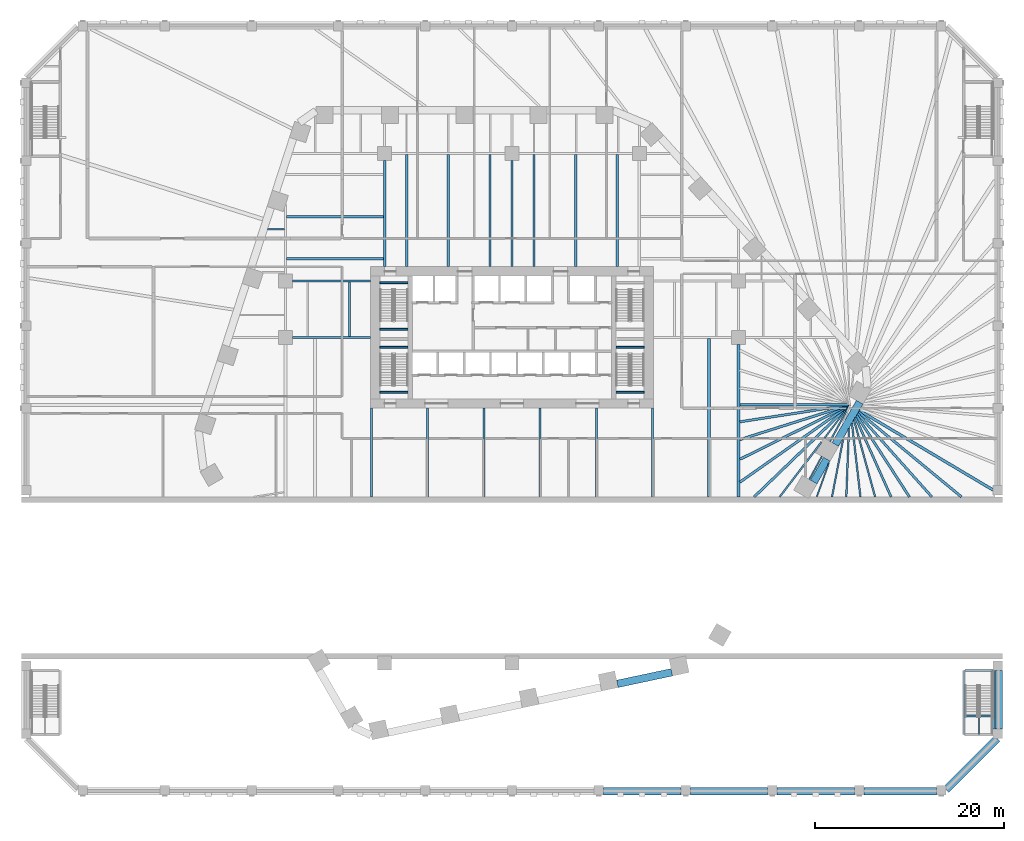
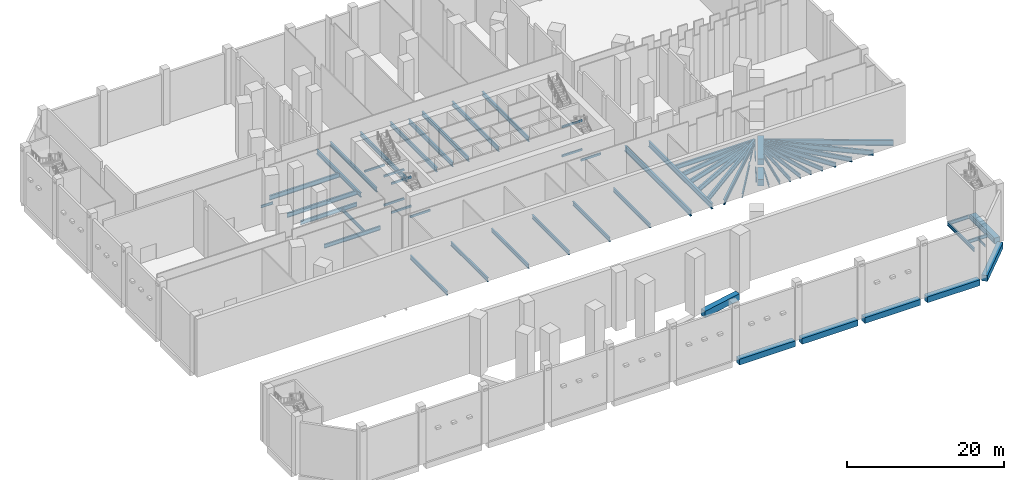
# One storey, part 2 of 23: 65 beams.
"""IFC4 building model written with IfcOpenShell, lengths in metres."""

from ifc_helpers import new_model, si_unit, direction, frame, origin, origin_2d, place, context, subcontext, project, spatial, rectangle, i_section, extrude, material, material_profile, profile_set, type_object, element, save


model = new_model("IFC4")

# Units and contexts
model_context = context("Model", 3, precision=1e-05, world=origin(), true_north=direction((0.0, 1.0)))
body_context = subcontext(model_context, "Body", "Model", "MODEL_VIEW")
ifc_project = project(units=[si_unit("LENGTHUNIT", "METRE"), si_unit("AREAUNIT", "SQUARE_METRE"), si_unit("VOLUMEUNIT", "CUBIC_METRE"), si_unit("PLANEANGLEUNIT", "RADIAN"), si_unit("MASSUNIT", "GRAM", prefix="KILO")], contexts=[model_context])

# Site, building, storey
site_placement = place(None, origin())
site = spatial("IfcSite", under=ifc_project, at=site_placement, CompositionType="ELEMENT")
building_placement = place(site_placement, origin())
building = spatial("IfcBuilding", under=site, at=building_placement, Name="Isthmus Gate Tower", CompositionType="ELEMENT")
storey_placement = place(building_placement, frame((0.0, 0.0, 9.0)))
storey = spatial("IfcBuildingStorey", under=building, at=storey_placement, Name="L01", CompositionType="ELEMENT", Elevation=9.0)

# Beams
ifc_material_1 = material(Name="Concrete f'c 70 MPa", Category="concrete")
ifc_material_profile_1 = material_profile(ifc_material_1, rectangle(XDim=0.800048828125, YDim=0.89990234375, at=origin_2d()), Name="RC 800X900")
ifc_profile_set_1 = profile_set([ifc_material_profile_1], Name="Concrete f'c 70 MPa")
beam_type_1 = type_object("IfcBeamType", Name="RC EDGE BEAM 800 X 900", PredefinedType="BEAM", material=ifc_profile_set_1)
beam_1_placement = place(storey_placement, frame((51.60009765625, -27.800048828125, -0.85009765625), z_axis=(0.0, -1.0, 0.0), x_axis=(1.0, 0.0, 0.0)))
element("IfcBeam", 1, at=beam_1_placement, inside=storey, type_object=beam_type_1, Name="str-edgebeam-L01-26", PredefinedType="BEAM", context=body_context, shape_type="SweptSolid", body=[
    extrude(rectangle(XDim=0.800048828125, YDim=0.89990234375, at=origin_2d()), origin(), (0.0, 0.0, 1.0), 6.199951171875),
])
beam_2_placement = place(storey_placement, frame((51.434326171875, -35.0, -0.85009765625), z_axis=(-0.707106781187, -0.707106781187, 0.0), x_axis=(0.707106781187, -0.707106781187, 0.0)))
element("IfcBeam", 2, at=beam_2_placement, inside=storey, type_object=beam_type_1, Name="str-edgebeam-L01-27", PredefinedType="BEAM", context=body_context, shape_type="SweptSolid", body=[
    extrude(rectangle(XDim=0.800048828125, YDim=0.89990234375, at=origin_2d()), origin(), (0.0, 0.0, 1.0), 7.685302734375),
])
beam_3_placement = place(storey_placement, frame((45.0, -40.60009765625, -0.85009765625), z_axis=(-1.0, 0.0, 0.0), x_axis=(0.0, -1.0, 0.0)))
element("IfcBeam", 3, at=beam_3_placement, inside=storey, type_object=beam_type_1, Name="str-edgebeam-L01-28", PredefinedType="BEAM", context=body_context, shape_type="SweptSolid", body=[
    extrude(rectangle(XDim=0.800048828125, YDim=0.89990234375, at=origin_2d()), origin(), (0.0, 0.0, 1.0), 7.699951171875),
])
beam_4_placement = place(storey_placement, frame((36.300048828125, -40.60009765625, -0.85009765625), z_axis=(-1.0, 0.0, 0.0), x_axis=(0.0, -1.0, 0.0)))
element("IfcBeam", 4, at=beam_4_placement, inside=storey, type_object=beam_type_1, Name="str-edgebeam-L01-29", PredefinedType="BEAM", context=body_context, shape_type="SweptSolid", body=[
    extrude(rectangle(XDim=0.800048828125, YDim=0.89990234375, at=origin_2d()), origin(), (0.0, 0.0, 1.0), 8.199951171875),
])
beam_5_placement = place(storey_placement, frame((27.10009765625, -40.60009765625, -0.85009765625), z_axis=(-1.0, 0.0, 0.0), x_axis=(0.0, -1.0, 0.0)))
element("IfcBeam", 5, at=beam_5_placement, inside=storey, type_object=beam_type_1, Name="str-edgebeam-L01-30", PredefinedType="BEAM", context=body_context, shape_type="SweptSolid", body=[
    extrude(rectangle(XDim=0.800048828125, YDim=0.89990234375, at=origin_2d()), origin(), (0.0, 0.0, 1.0), 8.2001953125),
])
beam_6_placement = place(storey_placement, frame((17.89990234375, -40.60009765625, -0.85009765625), z_axis=(-1.0, 0.0, 0.0), x_axis=(0.0, -1.0, 0.0)))
element("IfcBeam", 6, at=beam_6_placement, inside=storey, type_object=beam_type_1, Name="str-edgebeam-L01-31", PredefinedType="BEAM", context=body_context, shape_type="SweptSolid", body=[
    extrude(rectangle(XDim=0.800048828125, YDim=0.89990234375, at=origin_2d()), origin(), (0.0, 0.0, 1.0), 8.199951171875),
])
ifc_material_2 = material(Name="Concrete f'c 70 MPa", Category="concrete")
ifc_material_profile_2 = material_profile(ifc_material_2, rectangle(XDim=0.800048828125, YDim=1.0, at=origin_2d()), Name="RC 800X1000")
ifc_profile_set_2 = profile_set([ifc_material_profile_2], Name="Concrete f'c 70 MPa")
beam_type_2 = type_object("IfcBeamType", Name="RC TUBE RING BEAM 800 X 1000", PredefinedType="BEAM", material=ifc_profile_set_2)
beam_7_placement = place(storey_placement, frame((36.8544921875, 0.6337890625, -0.89990234375), z_axis=(-0.50000453793, -0.866022783793, 0.0), x_axis=(0.866022783793, -0.50000453793, 0.0)))
element("IfcBeam", 7, at=beam_7_placement, inside=storey, type_object=beam_type_2, Name="str-ringbeam-L01-06", PredefinedType="BEAM", context=body_context, shape_type="SweptSolid", body=[
    extrude(rectangle(XDim=0.800048828125, YDim=1.0, at=origin_2d()), origin(), (0.0, 0.0, 1.0), 5.16943359375),
])
beam_8_placement = place(storey_placement, frame((33.369873046875, -5.40185546875, -0.89990234375), z_axis=(-0.500012514453, -0.866018178441, 0.0), x_axis=(0.866018178441, -0.500012514453, 0.0)))
element("IfcBeam", 8, at=beam_8_placement, inside=storey, type_object=beam_type_2, Name="str-ringbeam-L01-07", PredefinedType="BEAM", context=body_context, shape_type="SweptSolid", body=[
    extrude(rectangle(XDim=0.800048828125, YDim=1.0, at=origin_2d()), origin(), (0.0, 0.0, 1.0), 2.79296875),
])
beam_9_placement = place(storey_placement, frame((16.937255859375, -27.990966796875, -0.89990234375), z_axis=(-0.97815168619, -0.207892469327, 0.0), x_axis=(0.207892469327, -0.97815168619, 0.0)))
element("IfcBeam", 9, at=beam_9_placement, inside=storey, type_object=beam_type_2, Name="str-ringbeam-L01-08", PredefinedType="BEAM", context=body_context, shape_type="SweptSolid", body=[
    extrude(rectangle(XDim=0.800048828125, YDim=1.0, at=origin_2d()), origin(), (0.0, 0.0, 1.0), 5.889404296875),
])
ifc_material_3 = material(Name="Concrete f'c 40 MPa", Category="concrete")
ifc_material_profile_3 = material_profile(ifc_material_3, rectangle(XDim=0.199951171875, YDim=0.300048828125, at=origin_2d()), Name="STAIR LANDING BEAM RC 200 X 300")
ifc_profile_set_3 = profile_set([ifc_material_profile_3], Name="Concrete f'c 40 MPa")
beam_type_3 = type_object("IfcBeamType", Name="STAIR LANDING BEAM RC 200 X 300", PredefinedType="BEAM", material=ifc_profile_set_3)
for number, where, z_axis, x_axis, name in (
    (10, (-14.0, 8.3701171875, 1.89990234375), (1.0, 0.0, 0.0), (0.0, 1.0, 0.0), "L01 ST1 landing beam 1"),
    (11, (-14.0, 13.300048828125, 4.14990234375), (1.0, 0.0, 0.0), (0.0, 1.0, 0.0), "L01 ST1 landing beam 2"),
    (12, (-14.0, 8.3701171875, 6.39990234375), (1.0, 0.0, 0.0), (0.0, 1.0, 0.0), "L01 ST1 landing beam 3"),
    (13, (-14.0, 6.47998046875, 1.89990234375), (1.0, 0.0, 0.0), (0.0, 1.0, 0.0), "L01 ST7 landing beam 1"),
    (14, (-14.0, 1.699951171875, 4.14990234375), (1.0, 0.0, 0.0), (0.0, 1.0, 0.0), "L01 ST7 landing beam 2"),
    (15, (-14.0, 6.47998046875, 6.39990234375), (1.0, 0.0, 0.0), (0.0, 1.0, 0.0), "L01 ST7 landing beam 3"),
    (16, (11.050048828125, 6.47998046875, 1.89990234375), (1.0, 0.0, 0.0), (0.0, 1.0, 0.0), "L01 ST8 landing beam 1"),
    (17, (11.050048828125, 1.699951171875, 4.14990234375), (1.0, 0.0, 0.0), (0.0, 1.0, 0.0), "L01 ST8 landing beam 2"),
    (18, (11.050048828125, 6.47998046875, 6.39990234375), (1.0, 0.0, 0.0), (0.0, 1.0, 0.0), "L01 ST8 landing beam 3"),
):
    element("IfcBeam", number, at=place(storey_placement, frame(where, z_axis=z_axis, x_axis=x_axis)), inside=storey, type_object=beam_type_3, Name=name, PredefinedType="BEAM", context=body_context, shape_type="SweptSolid", body=[
        extrude(rectangle(XDim=0.199951171875, YDim=0.300048828125, at=origin_2d()), origin(), (0.0, 0.0, 1.0), 2.949951171875),
    ])
ifc_material_4 = material(Name="Structural steel ASTM A992 Gr 50", Category="steel")
ifc_material_profile_4 = material_profile(ifc_material_4, i_section(OverallWidth=0.1396484375, OverallDepth=0.4033203125, WebThickness=0.00634765625, FlangeThickness=0.010986328125, at=origin_2d()), Name="W16X31")
ifc_profile_set_4 = profile_set([ifc_material_profile_4], Name="Structural steel ASTM A992 Gr 50")
beam_type_4 = type_object("IfcBeamType", Name="STEEL FLOOR BEAM W16X31", PredefinedType="JOIST", material=ifc_profile_set_4)
beam_10_placement = place(storey_placement, frame((-25.90478515625, 18.975830078125, -0.6015625), z_axis=(1.0, 0.0, 0.0), x_axis=(0.0, 1.0, 0.0)))
element("IfcBeam", 19, at=beam_10_placement, inside=storey, type_object=beam_type_4, Name="str-beam-L01-06-02", PredefinedType="JOIST", context=body_context, shape_type="SweptSolid", body=[
    extrude(i_section(OverallWidth=0.1396484375, OverallDepth=0.4033203125, WebThickness=0.00634765625, FlangeThickness=0.010986328125, at=origin_2d()), origin(), (0.0, 0.0, 1.0), 1.79052734375),
])
beam_11_placement = place(storey_placement, frame((32.842041015625, -5.09716796875, -0.6015625), z_axis=(-0.477743551145, -0.878499345099, 0.0), x_axis=(0.878499345099, -0.477743551145, 0.0)))
element("IfcBeam", 20, at=beam_11_placement, inside=storey, type_object=beam_type_4, Name="str-beam-L01-13-43", PredefinedType="JOIST", context=body_context, shape_type="SweptSolid", body=[
    extrude(i_section(OverallWidth=0.1396484375, OverallDepth=0.4033203125, WebThickness=0.00634765625, FlangeThickness=0.010986328125, at=origin_2d()), origin(), (0.0, 0.0, 1.0), 2.793701171875),
])
beam_12_placement = place(storey_placement, frame((33.58837890625, -5.8232421875, -0.6015625), z_axis=(-0.338036930697, -0.941132845822, 0.0), x_axis=(0.941132845822, -0.338036930697, 0.0)))
element("IfcBeam", 21, at=beam_12_placement, inside=storey, type_object=beam_type_4, Name="str-beam-L01-13-45", PredefinedType="JOIST", context=body_context, shape_type="SweptSolid", body=[
    extrude(i_section(OverallWidth=0.1396484375, OverallDepth=0.4033203125, WebThickness=0.00634765625, FlangeThickness=0.010986328125, at=origin_2d()), origin(), (0.0, 0.0, 1.0), 3.80029296875),
])
beam_13_placement = place(storey_placement, frame((49.5, -34.60009765625, -0.6015625), z_axis=(0.0, 1.0, 0.0), x_axis=(-1.0, 0.0, 0.0)))
element("IfcBeam", 22, at=beam_13_placement, inside=storey, type_object=beam_type_4, Name="str-beam-L01-23-00", PredefinedType="JOIST", context=body_context, shape_type="SweptSolid", body=[
    extrude(i_section(OverallWidth=0.1396484375, OverallDepth=0.4033203125, WebThickness=0.00634765625, FlangeThickness=0.010986328125, at=origin_2d()), origin(), (0.0, 0.0, 1.0), 1.865478515625),
])
ifc_material_5 = material(Name="Structural steel ASTM A992 Gr 50", Category="steel")
ifc_material_profile_5 = material_profile(ifc_material_5, i_section(OverallWidth=0.15234375, OverallDepth=0.45068359375, WebThickness=0.0078125, FlangeThickness=0.010986328125, at=origin_2d()), Name="W18X35")
ifc_profile_set_5 = profile_set([ifc_material_profile_5], Name="Structural steel ASTM A992 Gr 50")
beam_type_5 = type_object("IfcBeamType", Name="STEEL FLOOR BEAM W18X35", PredefinedType="JOIST", material=ifc_profile_set_5)
beam_14_placement = place(storey_placement, frame((35.80810546875, 0.357421875, -0.62548828125), z_axis=(-0.606188892805, -0.795320706532, 0.0), x_axis=(0.795320706532, -0.606188892805, 0.0)))
element("IfcBeam", 23, at=beam_14_placement, inside=storey, type_object=beam_type_5, Name="str-beam-L01-13-40", PredefinedType="JOIST", context=body_context, shape_type="SweptSolid", body=[
    extrude(i_section(OverallWidth=0.15234375, OverallDepth=0.45068359375, WebThickness=0.0078125, FlangeThickness=0.010986328125, at=origin_2d()), origin(), (0.0, 0.0, 1.0), 4.443115234375),
])
beam_15_placement = place(storey_placement, frame((35.80810546875, 0.357421875, -0.62548828125), z_axis=(-0.477718708992, -0.878512854248, 0.0), x_axis=(0.878512854248, -0.477718708992, 0.0)))
element("IfcBeam", 24, at=beam_15_placement, inside=storey, type_object=beam_type_5, Name="str-beam-L01-13-42", PredefinedType="JOIST", context=body_context, shape_type="SweptSolid", body=[
    extrude(i_section(OverallWidth=0.15234375, OverallDepth=0.45068359375, WebThickness=0.0078125, FlangeThickness=0.010986328125, at=origin_2d()), origin(), (0.0, 0.0, 1.0), 4.408447265625),
])
ifc_material_6 = material(Name="Structural steel ASTM A992 Gr 50", Category="steel")
ifc_material_profile_6 = material_profile(ifc_material_6, i_section(OverallWidth=0.1650390625, OverallDepth=0.52392578125, WebThickness=0.009521484375, FlangeThickness=0.010986328125, at=origin_2d()), Name="W21X44")
ifc_profile_set_6 = profile_set([ifc_material_profile_6], Name="Structural steel ASTM A992 Gr 50")
beam_type_6 = type_object("IfcBeamType", Name="STEEL FLOOR BEAM W21X44", PredefinedType="JOIST", material=ifc_profile_set_6)
beam_16_placement = place(storey_placement, frame((-17.223876953125, 7.6142578125, -0.661865234375), z_axis=(0.0, 1.0, 0.0), x_axis=(-1.0, 0.0, 0.0)))
element("IfcBeam", 25, at=beam_16_placement, inside=storey, type_object=beam_type_6, Name="str-beam-L01-07-01", PredefinedType="JOIST", context=body_context, shape_type="SweptSolid", body=[
    extrude(i_section(OverallWidth=0.1650390625, OverallDepth=0.52392578125, WebThickness=0.009521484375, FlangeThickness=0.010986328125, at=origin_2d()), origin(), (0.0, 0.0, 1.0), 5.771484375),
])
beam_17_placement = place(storey_placement, frame((35.1259765625, -3.159912109375, -0.661865234375), z_axis=(-0.190395701224, -0.981707429408, 0.0), x_axis=(0.981707429408, -0.190395701224, 0.0)))
element("IfcBeam", 26, at=beam_17_placement, inside=storey, type_object=beam_type_6, Name="str-beam-L01-13-46", PredefinedType="JOIST", context=body_context, shape_type="SweptSolid", body=[
    extrude(i_section(OverallWidth=0.1650390625, OverallDepth=0.52392578125, WebThickness=0.009521484375, FlangeThickness=0.010986328125, at=origin_2d()), origin(), (0.0, 0.0, 1.0), 6.356201171875),
])
ifc_material_7 = material(Name="Structural steel ASTM A992 Gr 50", Category="steel")
ifc_material_profile_7 = material_profile(ifc_material_7, i_section(OverallWidth=0.177734375, OverallDepth=0.60009765625, WebThickness=0.009521484375, FlangeThickness=0.0126953125, at=origin_2d()), Name="W24X55")
ifc_profile_set_7 = profile_set([ifc_material_profile_7], Name="Structural steel ASTM A992 Gr 50")
beam_type_7 = type_object("IfcBeamType", Name="STEEL FLOOR BEAM W24X55", PredefinedType="JOIST", material=ifc_profile_set_7)
beam_18_placement = place(storey_placement, frame((32.799560546875, -3.589599609375, -0.699951171875), z_axis=(-0.606242544723, -0.795279810487, 0.0), x_axis=(0.795279810487, -0.606242544723, 0.0)))
element("IfcBeam", 27, at=beam_18_placement, inside=storey, type_object=beam_type_7, Name="str-beam-L01-13-41", PredefinedType="JOIST", context=body_context, shape_type="SweptSolid", body=[
    extrude(i_section(OverallWidth=0.177734375, OverallDepth=0.60009765625, WebThickness=0.009521484375, FlangeThickness=0.0126953125, at=origin_2d()), origin(), (0.0, 0.0, 1.0), 7.305908203125),
])
beam_19_placement = place(storey_placement, frame((35.71240234375, -2.14453125, -0.699951171875), z_axis=(-0.038332396182, -0.999265043621, 0.0), x_axis=(0.999265043621, -0.038332396182, 0.0)))
element("IfcBeam", 28, at=beam_19_placement, inside=storey, type_object=beam_type_7, Name="str-beam-L01-13-47", PredefinedType="JOIST", context=body_context, shape_type="SweptSolid", body=[
    extrude(i_section(OverallWidth=0.177734375, OverallDepth=0.60009765625, WebThickness=0.009521484375, FlangeThickness=0.0126953125, at=origin_2d()), origin(), (0.0, 0.0, 1.0), 7.2607421875),
])
beam_20_placement = place(storey_placement, frame((36.032958984375, -1.589111328125, -0.699951171875), z_axis=(0.114670071899, -0.993403631265, 0.0), x_axis=(0.993403631265, 0.114670071899, 0.0)))
element("IfcBeam", 29, at=beam_20_placement, inside=storey, type_object=beam_type_7, Name="str-beam-L01-13-48", PredefinedType="JOIST", context=body_context, shape_type="SweptSolid", body=[
    extrude(i_section(OverallWidth=0.177734375, OverallDepth=0.60009765625, WebThickness=0.009521484375, FlangeThickness=0.0126953125, at=origin_2d()), origin(), (0.0, 0.0, 1.0), 7.862548828125),
])
beam_21_placement = place(storey_placement, frame((36.2431640625, -1.22509765625, -0.699951171875), z_axis=(0.264966390517, -0.964257648088, 0.0), x_axis=(0.964257648088, 0.264966390517, 0.0)))
element("IfcBeam", 30, at=beam_21_placement, inside=storey, type_object=beam_type_7, Name="str-beam-L01-13-49", PredefinedType="JOIST", context=body_context, shape_type="SweptSolid", body=[
    extrude(i_section(OverallWidth=0.177734375, OverallDepth=0.60009765625, WebThickness=0.009521484375, FlangeThickness=0.0126953125, at=origin_2d()), origin(), (0.0, 0.0, 1.0), 8.477783203125),
])
ifc_material_8 = material(Name="Structural steel ASTM A992 Gr 50", Category="steel")
ifc_material_profile_8 = material_profile(ifc_material_8, i_section(OverallWidth=0.228515625, OverallDepth=0.603271484375, WebThickness=0.010986328125, FlangeThickness=0.014404296875, at=origin_2d()), Name="W24X68")
ifc_profile_set_8 = profile_set([ifc_material_profile_8], Name="Structural steel ASTM A992 Gr 50")
beam_type_8 = type_object("IfcBeamType", Name="STEEL FLOOR BEAM W24X68", PredefinedType="JOIST", material=ifc_profile_set_8)
for number, where, z_axis, x_axis, name in (
    (31, (-14.90869140625, -9.39990234375, -0.70166015625), (0.0, 1.0, 0.0), (-1.0, 0.0, 0.0), "str-beam-L01-12-01"),
    (32, (-8.9453125, -9.39990234375, -0.70166015625), (0.0, 1.0, 0.0), (-1.0, 0.0, 0.0), "str-beam-L01-12-02"),
    (33, (-2.981689453125, -9.39990234375, -0.70166015625), (0.0, 1.0, 0.0), (-1.0, 0.0, 0.0), "str-beam-L01-12-03"),
    (34, (2.981689453125, -9.39990234375, -0.70166015625), (0.0, 1.0, 0.0), (-1.0, 0.0, 0.0), "str-beam-L01-12-04"),
    (35, (8.9453125, -9.39990234375, -0.70166015625), (0.0, 1.0, 0.0), (-1.0, 0.0, 0.0), "str-beam-L01-12-05"),
    (36, (14.90869140625, -9.39990234375, -0.70166015625), (0.0, 1.0, 0.0), (-1.0, 0.0, 0.0), "str-beam-L01-12-06"),
):
    element("IfcBeam", number, at=place(storey_placement, frame(where, z_axis=z_axis, x_axis=x_axis)), inside=storey, type_object=beam_type_8, Name=name, PredefinedType="JOIST", context=body_context, shape_type="SweptSolid", body=[
        extrude(i_section(OverallWidth=0.228515625, OverallDepth=0.603271484375, WebThickness=0.010986328125, FlangeThickness=0.014404296875, at=origin_2d()), origin(), (0.0, 0.0, 1.0), 9.39990234375),
    ])
beam_22_placement = place(storey_placement, frame((36.397705078125, -0.95751953125, -0.70166015625), z_axis=(0.409069542294, -0.912503210716, 0.0), x_axis=(0.912503210716, 0.409069542294, 0.0)))
element("IfcBeam", 37, at=beam_22_placement, inside=storey, type_object=beam_type_8, Name="str-beam-L01-13-50", PredefinedType="JOIST", context=body_context, shape_type="SweptSolid", body=[
    extrude(i_section(OverallWidth=0.228515625, OverallDepth=0.603271484375, WebThickness=0.010986328125, FlangeThickness=0.014404296875, at=origin_2d()), origin(), (0.0, 0.0, 1.0), 9.251953125),
])
ifc_material_9 = material(Name="Structural steel ASTM A992 Gr 50", Category="steel")
ifc_material_profile_9 = material_profile(ifc_material_9, i_section(OverallWidth=0.25390625, OverallDepth=0.679443359375, WebThickness=0.010986328125, FlangeThickness=0.015869140625, at=origin_2d()), Name="W27X84")
ifc_profile_set_9 = profile_set([ifc_material_profile_9], Name="Structural steel ASTM A992 Gr 50")
beam_type_9 = type_object("IfcBeamType", Name="STEEL FLOOR BEAM W27X84", PredefinedType="JOIST", material=ifc_profile_set_9)
for number, where, z_axis, x_axis, name in (
    (38, (-23.8857421875, 15.84521484375, -0.73974609375), (1.0, 0.0, 0.0), (0.0, 1.0, 0.0), "str-beam-L01-08-00"),
    (39, (-23.8857421875, 20.30712890625, -0.73974609375), (1.0, 0.0, 0.0), (0.0, 1.0, 0.0), "str-beam-L01-08-01"),
):
    element("IfcBeam", number, at=place(storey_placement, frame(where, z_axis=z_axis, x_axis=x_axis)), inside=storey, type_object=beam_type_9, Name=name, PredefinedType="JOIST", context=body_context, shape_type="SweptSolid", body=[
        extrude(i_section(OverallWidth=0.25390625, OverallDepth=0.679443359375, WebThickness=0.010986328125, FlangeThickness=0.015869140625, at=origin_2d()), origin(), (0.0, 0.0, 1.0), 10.2587890625),
    ])
for number, where, z_axis, x_axis, name in (
    (40, (-11.165283203125, 15.0, -0.73974609375), (0.0, 1.0, 0.0), (-1.0, 0.0, 0.0), "str-beam-L01-10-00"),
    (41, (-6.75, 15.0, -0.73974609375), (0.0, 1.0, 0.0), (-1.0, 0.0, 0.0), "str-beam-L01-10-01"),
    (42, (-2.334716796875, 15.0, -0.73974609375), (0.0, 1.0, 0.0), (-1.0, 0.0, 0.0), "str-beam-L01-10-02"),
):
    element("IfcBeam", number, at=place(storey_placement, frame(where, z_axis=z_axis, x_axis=x_axis)), inside=storey, type_object=beam_type_9, Name=name, PredefinedType="JOIST", context=body_context, shape_type="SweptSolid", body=[
        extrude(i_section(OverallWidth=0.25390625, OverallDepth=0.679443359375, WebThickness=0.010986328125, FlangeThickness=0.015869140625, at=origin_2d()), origin(), (0.0, 0.0, 1.0), 11.873046875),
    ])
beam_23_placement = place(storey_placement, frame((35.80810546875, 0.357421875, -0.73974609375), z_axis=(-1.0, 0.0, 0.0), x_axis=(0.0, -1.0, 0.0)))
element("IfcBeam", 43, at=beam_23_placement, inside=storey, type_object=beam_type_9, Name="str-beam-L01-13-31", PredefinedType="JOIST", context=body_context, shape_type="SweptSolid", body=[
    extrude(i_section(OverallWidth=0.25390625, OverallDepth=0.679443359375, WebThickness=0.010986328125, FlangeThickness=0.015869140625, at=origin_2d()), origin(), (0.0, 0.0, 1.0), 11.662109375),
])
beam_24_placement = place(storey_placement, frame((35.80810546875, 0.357421875, -0.73974609375), z_axis=(-0.988281112388, -0.152644825976, 0.0), x_axis=(0.152644825976, -0.988281112388, 0.0)))
element("IfcBeam", 44, at=beam_24_placement, inside=storey, type_object=beam_type_9, Name="str-beam-L01-13-34", PredefinedType="JOIST", context=body_context, shape_type="SweptSolid", body=[
    extrude(i_section(OverallWidth=0.25390625, OverallDepth=0.679443359375, WebThickness=0.010986328125, FlangeThickness=0.015869140625, at=origin_2d()), origin(), (0.0, 0.0, 1.0), 11.80029296875),
])
beam_25_placement = place(storey_placement, frame((36.521240234375, -0.743408203125, -0.73974609375), z_axis=(0.54355552701, -0.83937321202, 0.0), x_axis=(0.83937321202, 0.54355552701, 0.0)))
element("IfcBeam", 45, at=beam_25_placement, inside=storey, type_object=beam_type_9, Name="str-beam-L01-13-51", PredefinedType="JOIST", context=body_context, shape_type="SweptSolid", body=[
    extrude(i_section(OverallWidth=0.25390625, OverallDepth=0.679443359375, WebThickness=0.010986328125, FlangeThickness=0.015869140625, at=origin_2d()), origin(), (0.0, 0.0, 1.0), 10.31298828125),
])
beam_26_placement = place(storey_placement, frame((36.626708984375, -0.560791015625, -0.73974609375), z_axis=(0.665316813357, -0.74656114141, 0.0), x_axis=(0.74656114141, 0.665316813357, 0.0)))
element("IfcBeam", 46, at=beam_26_placement, inside=storey, type_object=beam_type_9, Name="str-beam-L01-13-52", PredefinedType="JOIST", context=body_context, shape_type="SweptSolid", body=[
    extrude(i_section(OverallWidth=0.25390625, OverallDepth=0.679443359375, WebThickness=0.010986328125, FlangeThickness=0.015869140625, at=origin_2d()), origin(), (0.0, 0.0, 1.0), 11.83984375),
])
for number, where, z_axis, x_axis, name in (
    (47, (2.334716796875, 15.0, -0.73974609375), (0.0, 1.0, 0.0), (-1.0, 0.0, 0.0), "str-beam-L01-15-00"),
    (48, (6.75, 15.0, -0.73974609375), (0.0, 1.0, 0.0), (-1.0, 0.0, 0.0), "str-beam-L01-15-01"),
    (49, (11.165283203125, 15.0, -0.73974609375), (0.0, 1.0, 0.0), (-1.0, 0.0, 0.0), "str-beam-L01-15-02"),
):
    element("IfcBeam", number, at=place(storey_placement, frame(where, z_axis=z_axis, x_axis=x_axis)), inside=storey, type_object=beam_type_9, Name=name, PredefinedType="JOIST", context=body_context, shape_type="SweptSolid", body=[
        extrude(i_section(OverallWidth=0.25390625, OverallDepth=0.679443359375, WebThickness=0.010986328125, FlangeThickness=0.015869140625, at=origin_2d()), origin(), (0.0, 0.0, 1.0), 11.873046875),
    ])
ifc_material_10 = material(Name="Structural steel ASTM A992 Gr 50", Category="steel")
ifc_material_profile_10 = material_profile(ifc_material_10, i_section(OverallWidth=0.2666015625, OverallDepth=0.7587890625, WebThickness=0.014404296875, FlangeThickness=0.01904296875, at=origin_2d()), Name="W30X108")
ifc_profile_set_10 = profile_set([ifc_material_profile_10], Name="Structural steel ASTM A992 Gr 50")
beam_type_10 = type_object("IfcBeamType", Name="STEEL FLOOR BEAM W30X108", PredefinedType="JOIST", material=ifc_profile_set_10)
beam_27_placement = place(storey_placement, frame((35.80810546875, 0.357421875, -0.779296875), z_axis=(-0.817931460727, -0.575315674698, 0.0), x_axis=(0.575315674698, -0.817931460727, 0.0)))
element("IfcBeam", 50, at=beam_27_placement, inside=storey, type_object=beam_type_10, Name="str-beam-L01-13-38", PredefinedType="JOIST", context=body_context, shape_type="SweptSolid", body=[
    extrude(i_section(OverallWidth=0.2666015625, OverallDepth=0.7587890625, WebThickness=0.014404296875, FlangeThickness=0.01904296875, at=origin_2d()), origin(), (0.0, 0.0, 1.0), 14.258056640625),
])
beam_28_placement = place(storey_placement, frame((35.80810546875, 0.357421875, -0.779296875), z_axis=(-0.720519252878, -0.693434932948, 0.0), x_axis=(0.693434932948, -0.720519252878, 0.0)))
element("IfcBeam", 51, at=beam_28_placement, inside=storey, type_object=beam_type_10, Name="str-beam-L01-13-39", PredefinedType="JOIST", context=body_context, shape_type="SweptSolid", body=[
    extrude(i_section(OverallWidth=0.2666015625, OverallDepth=0.7587890625, WebThickness=0.014404296875, FlangeThickness=0.01904296875, at=origin_2d()), origin(), (0.0, 0.0, 1.0), 14.071044921875),
])
beam_29_placement = place(storey_placement, frame((36.7216796875, -0.39599609375, -0.779296875), z_axis=(0.771498809155, -0.636230765896, 0.0), x_axis=(0.636230765896, 0.771498809155, 0.0)))
element("IfcBeam", 52, at=beam_29_placement, inside=storey, type_object=beam_type_10, Name="str-beam-L01-13-53", PredefinedType="JOIST", context=body_context, shape_type="SweptSolid", body=[
    extrude(i_section(OverallWidth=0.2666015625, OverallDepth=0.7587890625, WebThickness=0.014404296875, FlangeThickness=0.01904296875, at=origin_2d()), origin(), (0.0, 0.0, 1.0), 14.15185546875),
])
ifc_material_11 = material(Name="Structural steel ASTM A992 Gr 50", Category="steel")
ifc_material_profile_11 = material_profile(ifc_material_11, i_section(OverallWidth=0.263427734375, OverallDepth=0.749267578125, WebThickness=0.0126953125, FlangeThickness=0.015869140625, at=origin_2d()), Name="W30X90")
ifc_profile_set_11 = profile_set([ifc_material_profile_11], Name="Structural steel ASTM A992 Gr 50")
beam_type_11 = type_object("IfcBeamType", Name="STEEL FLOOR BEAM W30X90", PredefinedType="JOIST", material=ifc_profile_set_11)
beam_30_placement = place(storey_placement, frame((35.80810546875, 0.357421875, -0.774658203125), z_axis=(-0.953396971943, -0.301718766221, 0.0), x_axis=(0.301718766221, -0.953396971943, 0.0)))
element("IfcBeam", 53, at=beam_30_placement, inside=storey, type_object=beam_type_11, Name="str-beam-L01-13-36", PredefinedType="JOIST", context=body_context, shape_type="SweptSolid", body=[
    extrude(i_section(OverallWidth=0.263427734375, OverallDepth=0.749267578125, WebThickness=0.0126953125, FlangeThickness=0.015869140625, at=origin_2d()), origin(), (0.0, 0.0, 1.0), 12.232177734375),
])
beam_31_placement = place(storey_placement, frame((35.80810546875, 0.357421875, -0.774658203125), z_axis=(-0.896168867013, -0.443713152607, 0.0), x_axis=(0.443713152607, -0.896168867013, 0.0)))
element("IfcBeam", 54, at=beam_31_placement, inside=storey, type_object=beam_type_11, Name="str-beam-L01-13-37", PredefinedType="JOIST", context=body_context, shape_type="SweptSolid", body=[
    extrude(i_section(OverallWidth=0.263427734375, OverallDepth=0.749267578125, WebThickness=0.0126953125, FlangeThickness=0.015869140625, at=origin_2d()), origin(), (0.0, 0.0, 1.0), 13.01318359375),
])
ifc_material_12 = material(Name="Structural steel ASTM A992 Gr 50", Category="steel")
ifc_material_profile_12 = material_profile(ifc_material_12, i_section(OverallWidth=0.2919921875, OverallDepth=0.8349609375, WebThickness=0.014404296875, FlangeThickness=0.01904296875, at=origin_2d()), Name="W33X118")
ifc_profile_set_12 = profile_set([ifc_material_profile_12], Name="Structural steel ASTM A992 Gr 50")
beam_type_12 = type_object("IfcBeamType", Name="STEEL FLOOR BEAM W33X118", PredefinedType="JOIST", material=ifc_profile_set_12)
beam_32_placement = place(storey_placement, frame((20.872314453125, -9.39990234375, -0.8173828125), z_axis=(0.0, 1.0, 0.0), x_axis=(-1.0, 0.0, 0.0)))
element("IfcBeam", 55, at=beam_32_placement, inside=storey, type_object=beam_type_12, Name="str-beam-L01-12-07", PredefinedType="JOIST", context=body_context, shape_type="SweptSolid", body=[
    extrude(i_section(OverallWidth=0.2919921875, OverallDepth=0.8349609375, WebThickness=0.014404296875, FlangeThickness=0.01904296875, at=origin_2d()), origin(), (0.0, 0.0, 1.0), 16.78564453125),
])
beam_33_placement = place(storey_placement, frame((36.812255859375, -0.239501953125, -0.8173828125), z_axis=(0.859572764509, -0.511013368235, 0.0), x_axis=(0.511013368235, 0.859572764509, 0.0)))
element("IfcBeam", 56, at=beam_33_placement, inside=storey, type_object=beam_type_12, Name="str-beam-L01-13-54", PredefinedType="JOIST", context=body_context, shape_type="SweptSolid", body=[
    extrude(i_section(OverallWidth=0.2919921875, OverallDepth=0.8349609375, WebThickness=0.014404296875, FlangeThickness=0.01904296875, at=origin_2d()), origin(), (0.0, 0.0, 1.0), 16.505615234375),
])
ifc_material_13 = material(Name="Structural steel ASTM A992 Gr 50", Category="steel")
ifc_material_profile_13 = material_profile(ifc_material_13, i_section(OverallWidth=0.228515625, OverallDepth=0.6064453125, WebThickness=0.010986328125, FlangeThickness=0.017578125, at=origin_2d()), Name="W24X76")
ifc_profile_set_13 = profile_set([ifc_material_profile_13], Name="Structural steel ASTM A992 Gr 50")
beam_type_13 = type_object("IfcBeamType", Name="STEEL GIRDER W24X76", PredefinedType="BEAM", material=ifc_profile_set_13)
for number, where, z_axis, x_axis, name in (
    (57, (-23.25, 7.5, -0.703125), (1.0, 0.0, 0.0), (0.0, 1.0, 0.0), "str-girder-L01-02"),
    (58, (-23.25, 13.5, -0.703125), (1.0, 0.0, 0.0), (0.0, 1.0, 0.0), "str-girder-L01-05"),
):
    element("IfcBeam", number, at=place(storey_placement, frame(where, z_axis=z_axis, x_axis=x_axis)), inside=storey, type_object=beam_type_13, Name=name, PredefinedType="BEAM", context=body_context, shape_type="SweptSolid", body=[
        extrude(i_section(OverallWidth=0.228515625, OverallDepth=0.6064453125, WebThickness=0.010986328125, FlangeThickness=0.017578125, at=origin_2d()), origin(), (0.0, 0.0, 1.0), 8.25),
    ])
ifc_material_14 = material(Name="Structural steel ASTM A992 Gr 50", Category="steel")
ifc_material_profile_14 = material_profile(ifc_material_14, i_section(OverallWidth=0.25390625, OverallDepth=0.679443359375, WebThickness=0.010986328125, FlangeThickness=0.015869140625, at=origin_2d()), Name="W27X84")
ifc_profile_set_14 = profile_set([ifc_material_profile_14], Name="Structural steel ASTM A992 Gr 50")
beam_type_14 = type_object("IfcBeamType", Name="STEEL GIRDER W27X84", PredefinedType="BEAM", material=ifc_profile_set_14)
for number, where, z_axis, x_axis, name in (
    (59, (-13.5, 15.0, -0.73974609375), (0.0, 1.0, 0.0), (-1.0, 0.0, 0.0), "str-girder-L01-15"),
    (60, (0.0, 15.0, -0.73974609375), (0.0, 1.0, 0.0), (-1.0, 0.0, 0.0), "str-girder-L01-17"),
):
    element("IfcBeam", number, at=place(storey_placement, frame(where, z_axis=z_axis, x_axis=x_axis)), inside=storey, type_object=beam_type_14, Name=name, PredefinedType="BEAM", context=body_context, shape_type="SweptSolid", body=[
        extrude(i_section(OverallWidth=0.25390625, OverallDepth=0.679443359375, WebThickness=0.010986328125, FlangeThickness=0.015869140625, at=origin_2d()), origin(), (0.0, 0.0, 1.0), 11.25),
    ])
ifc_material_15 = material(Name="Structural steel ASTM A992 Gr 50", Category="steel")
ifc_material_profile_15 = material_profile(ifc_material_15, i_section(OverallWidth=0.2919921875, OverallDepth=0.8349609375, WebThickness=0.014404296875, FlangeThickness=0.01904296875, at=origin_2d()), Name="W33X118")
ifc_profile_set_15 = profile_set([ifc_material_profile_15], Name="Structural steel ASTM A992 Gr 50")
beam_type_15 = type_object("IfcBeamType", Name="STEEL GIRDER W33X118", PredefinedType="BEAM", material=ifc_profile_set_15)
beam_34_placement = place(storey_placement, frame((24.0, -9.39990234375, -0.8173828125), z_axis=(0.0, 1.0, 0.0), x_axis=(-1.0, 0.0, 0.0)))
element("IfcBeam", 61, at=beam_34_placement, inside=storey, type_object=beam_type_15, Name="str-girder-L01-21", PredefinedType="BEAM", context=body_context, shape_type="SweptSolid", body=[
    extrude(i_section(OverallWidth=0.2919921875, OverallDepth=0.8349609375, WebThickness=0.014404296875, FlangeThickness=0.01904296875, at=origin_2d()), origin(), (0.0, 0.0, 1.0), 16.14990234375),
])
ifc_material_16 = material(Name="Structural steel ASTM A992 Gr 50", Category="steel")
ifc_material_profile_16 = material_profile(ifc_material_16, i_section(OverallWidth=0.20947265625, OverallDepth=0.533447265625, WebThickness=0.009521484375, FlangeThickness=0.015869140625, at=origin_2d()), Name="W21X62")
ifc_profile_set_16 = profile_set([ifc_material_profile_16], Name="Structural steel ASTM A992 Gr 50")
beam_type_16 = type_object("IfcBeamType", Name="STEEL TRIMMER W21X62", PredefinedType="BEAM", material=ifc_profile_set_16)
beam_35_placement = place(storey_placement, frame((51.0546875, -34.0, -0.666748046875), z_axis=(0.0, 1.0, 0.0), x_axis=(-1.0, 0.0, 0.0)))
element("IfcBeam", 62, at=beam_35_placement, inside=storey, type_object=beam_type_16, Name="str-trimmer-L01-03", PredefinedType="BEAM", context=body_context, shape_type="SweptSolid", body=[
    extrude(i_section(OverallWidth=0.20947265625, OverallDepth=0.533447265625, WebThickness=0.009521484375, FlangeThickness=0.015869140625, at=origin_2d()), origin(), (0.0, 0.0, 1.0), 6.199951171875),
])
beam_36_placement = place(storey_placement, frame((47.895263671875, -27.779052734375, -0.666748046875), z_axis=(0.0, -1.0, 0.0), x_axis=(1.0, 0.0, 0.0)))
element("IfcBeam", 63, at=beam_36_placement, inside=storey, type_object=beam_type_16, Name="str-trimmer-L01-04", PredefinedType="BEAM", context=body_context, shape_type="SweptSolid", body=[
    extrude(i_section(OverallWidth=0.20947265625, OverallDepth=0.533447265625, WebThickness=0.009521484375, FlangeThickness=0.015869140625, at=origin_2d()), origin(), (0.0, 0.0, 1.0), 6.821044921875),
])
for number, where, z_axis, x_axis, name in (
    (64, (50.949951171875, -27.82421875, -0.666748046875), (-1.0, 0.0, 0.0), (0.0, -1.0, 0.0), "str-trimmer-L01-11"),
    (65, (48.0, -32.629638671875, -0.666748046875), (1.0, 0.0, 0.0), (0.0, 1.0, 0.0), "str-trimmer-L01-12"),
):
    element("IfcBeam", number, at=place(storey_placement, frame(where, z_axis=z_axis, x_axis=x_axis)), inside=storey, type_object=beam_type_16, Name=name, PredefinedType="BEAM", context=body_context, shape_type="SweptSolid", body=[
        extrude(i_section(OverallWidth=0.20947265625, OverallDepth=0.533447265625, WebThickness=0.009521484375, FlangeThickness=0.015869140625, at=origin_2d()), origin(), (0.0, 0.0, 1.0), 2.949951171875),
    ])

save(model, "model.ifc")
